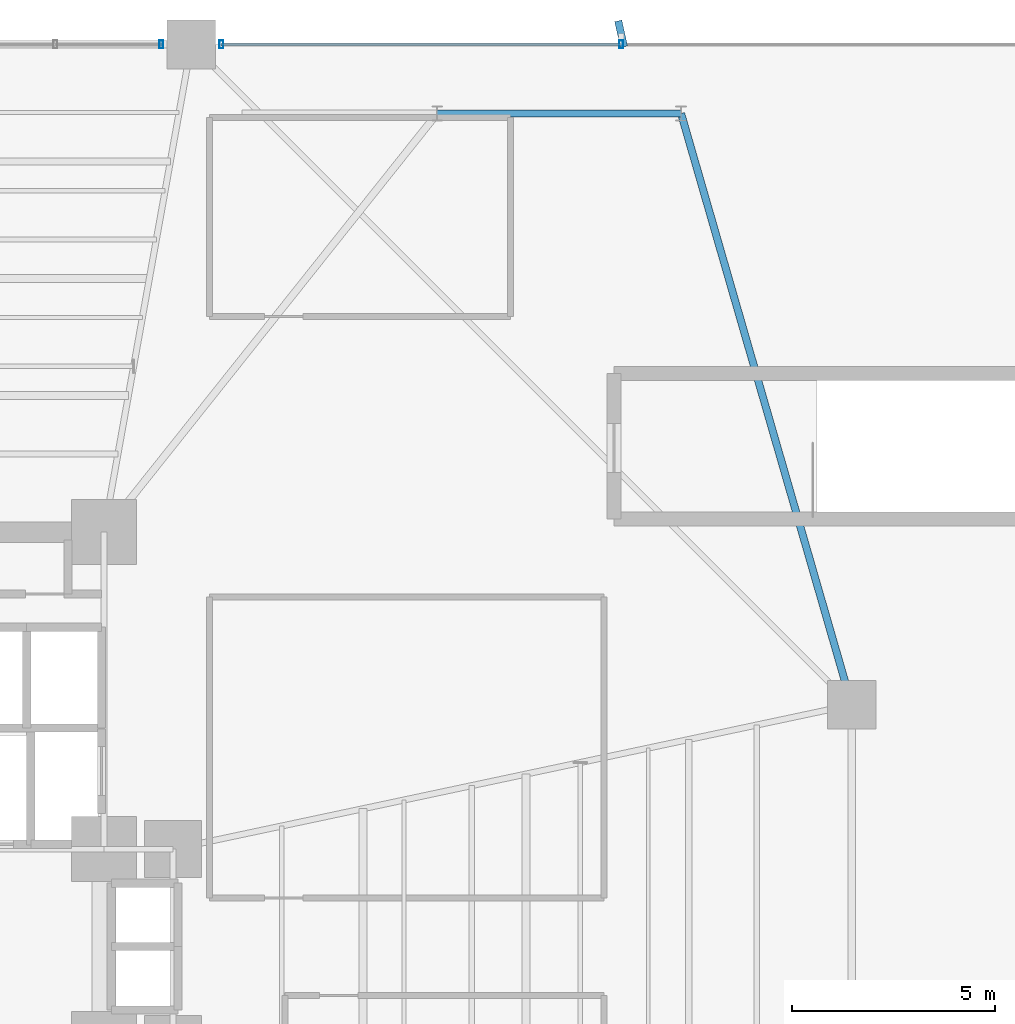
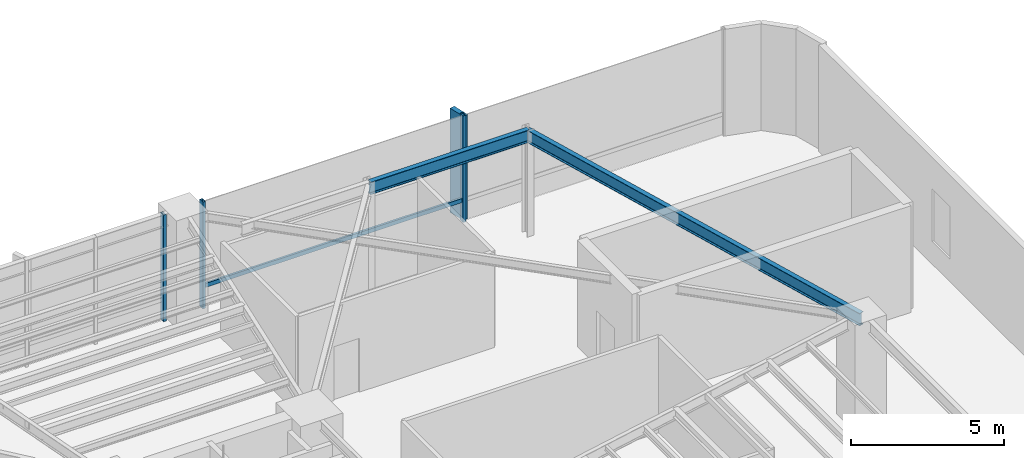
# One storey, part 17 of 26: 5 members, 2 beams, 2 elements without a shape of their own.
"""IFC4 building model written with IfcOpenShell, lengths in metres."""

from ifc_helpers import new_model, si_unit, direction, frame, origin, origin_2d, place, context, subcontext, project, spatial, rectangle, hollow_rectangle, i_section, extrude, source, transform, mapped, material, material_profile, profile_set, type_object, element, aggregate, save


model = new_model("IFC4")

# Units and contexts
model_context = context("Model", 3, precision=1e-05, world=origin(), true_north=direction((0.0, 1.0)))
body_context = subcontext(model_context, "Body", "Model", "MODEL_VIEW")
ifc_project = project(units=[si_unit("LENGTHUNIT", "METRE"), si_unit("AREAUNIT", "SQUARE_METRE"), si_unit("VOLUMEUNIT", "CUBIC_METRE"), si_unit("PLANEANGLEUNIT", "RADIAN"), si_unit("MASSUNIT", "GRAM", prefix="KILO")], contexts=[model_context])

# Site, building, storey
site_placement = place(None, origin())
site = spatial("IfcSite", under=ifc_project, at=site_placement, CompositionType="ELEMENT")
building_placement = place(site_placement, origin())
building = spatial("IfcBuilding", under=site, at=building_placement, Name="Sahyath Konkavel Grand Hotel", CompositionType="ELEMENT")
storey_placement = place(building_placement, frame((0.0, 0.0, 18.60009765625)))
storey = spatial("IfcBuildingStorey", under=building, at=storey_placement, Name="L04", CompositionType="ELEMENT", Elevation=18.60009765625)

# Beams
ifc_material_1 = material(Name="Steel E350", Category="steel")
ifc_material_profile_1 = material_profile(ifc_material_1, i_section(OverallWidth=0.179931640625, OverallDepth=0.5, WebThickness=0.01025390625, FlangeThickness=0.01708984375, FilletRadius=0.01708984375, at=origin_2d()), Name="ISMB 500")
ifc_profile_set_1 = profile_set([ifc_material_profile_1], Name="Steel E350")
beam_type = type_object("IfcBeamType", Name="BM-ISMB500", PredefinedType="BEAM", material=ifc_profile_set_1)
shared_shape_1 = source(origin(), body_context, "Body", "SweptSolid", [
    extrude(i_section(OverallWidth=0.179931640625, OverallDepth=0.5, WebThickness=0.01025390625, FlangeThickness=0.01708984375, FilletRadius=0.01708984375, at=origin_2d()), origin(), (0.0, 0.0, 1.0), 6.0),
])
beam_1_placement = place(storey_placement, frame((12.0, 20.5, 3.949951171875), z_axis=(1.0, 0.0, 0.0), x_axis=(0.0, 1.0, 0.0)))
element("IfcBeam", 1, at=beam_1_placement, inside=storey, type_object=beam_type, Name="str:bm:L04:POD34-04", PredefinedType="BEAM", context=body_context, shape_type="MappedRepresentation", body=[
    mapped(shared_shape_1, transform((0.0, 0.0, 0.0), scale=1.0)),
])
shared_shape_2 = source(origin(), body_context, "Body", "SweptSolid", [
    extrude(i_section(OverallWidth=0.179931640625, OverallDepth=0.5, WebThickness=0.01025390625, FlangeThickness=0.01708984375, FilletRadius=0.01708984375, at=origin_2d()), origin(), (0.0, 0.0, 1.0), 15.14404296875),
])
beam_2_placement = place(storey_placement, frame((18.0, 20.5, 3.949951171875), z_axis=(0.277332657483, -0.960773957335, 0.0), x_axis=(0.960773957335, 0.277332657483, 0.0)))
element("IfcBeam", 2, at=beam_2_placement, inside=storey, type_object=beam_type, Name="str:bm:L04:POD34-12", PredefinedType="BEAM", context=body_context, shape_type="MappedRepresentation", body=[
    mapped(shared_shape_2, transform((0.0, 0.0, 0.0), scale=1.0)),
])

# Curtain wall, members
ifc_material_2 = material(Name="Anodised Bronze Aluminium & Low-E Glazing", Category="aluminium")
curtain_wall_type = type_object("IfcCurtainWallType", Name="CW-PODIUM", PredefinedType="NOTDEFINED", material=ifc_material_2)
curtain_wall_1_placement = place(storey_placement, origin())
curtain_wall_1 = element("IfcCurtainWall", 3, at=curtain_wall_1_placement, inside=storey, type_object=curtain_wall_type, Name="L04 Unitised Curtain Wall N1", PredefinedType="NOTDEFINED")
ifc_material_3 = material(Name="Anodised Bronze Aluminium", Category="aluminium")
ifc_material_profile_2 = material_profile(ifc_material_3, hollow_rectangle(XDim=0.10009765625, YDim=0.199951171875, WallThickness=0.008056640625, at=origin_2d()), Name="RHS 200x100x8")
ifc_profile_set_2 = profile_set([ifc_material_profile_2], Name="Anodised Bronze Aluminium")
member_type_1 = type_object("IfcMemberType", Name="CW-MUL-200", PredefinedType="MULLION", material=ifc_profile_set_2)
shared_shape_3 = source(origin(), body_context, "Body", "SweptSolid", [
    extrude(hollow_rectangle(XDim=0.10009765625, YDim=0.199951171875, WallThickness=0.008056640625, at=origin_2d()), origin(), (0.0, 0.0, 1.0), 4.260009765625),
])
member_1_placement = place(storey_placement, frame((16.52490234375, 22.199951171875, 0.0), z_axis=(0.0, 0.0, 1.0), x_axis=(1.0, 0.0, 0.0)))
member_1 = element("IfcMember", 4, at=member_1_placement, type_object=member_type_1, Name="L04 Curtain Wall Mullion N1-1", PredefinedType="MULLION", context=body_context, shape_type="MappedRepresentation", body=[
    mapped(shared_shape_3, transform((0.0, 0.0, 0.0), scale=1.0)),
])
member_2_placement = place(storey_placement, frame((6.68994140625, 22.199951171875, 0.0), z_axis=(0.0, 0.0, 1.0), x_axis=(1.0, 0.0, 0.0)))
member_2 = element("IfcMember", 5, at=member_2_placement, type_object=member_type_1, Name="L04 Curtain Wall Mullion N1-2", PredefinedType="MULLION", context=body_context, shape_type="MappedRepresentation", body=[
    mapped(shared_shape_3, transform((0.0, 0.0, 0.0), scale=1.0)),
])

# Curtain wall, member
curtain_wall_2_placement = place(storey_placement, origin())
curtain_wall_2 = element("IfcCurtainWall", 6, at=curtain_wall_2_placement, inside=storey, type_object=curtain_wall_type, Name="L04 Unitised Curtain Wall N2", PredefinedType="NOTDEFINED")
member_3_placement = place(storey_placement, frame((5.2099609375, 22.199951171875, 0.0), z_axis=(0.0, 0.0, 1.0), x_axis=(1.0, 0.0, 0.0)))
member_3 = element("IfcMember", 7, at=member_3_placement, type_object=member_type_1, Name="L04 Curtain Wall Mullion N2-0", PredefinedType="MULLION", context=body_context, shape_type="MappedRepresentation", body=[
    mapped(shared_shape_3, transform((0.0, 0.0, 0.0), scale=1.0)),
])
aggregate(curtain_wall_2, [member_3])

# Member
ifc_material_4 = material(Name="Warm Buff Sandstone Cladding on Concrete C50/60", Category="masonry")
ifc_material_profile_3 = material_profile(ifc_material_4, rectangle(XDim=0.179931640625, YDim=0.64990234375, at=origin_2d()), Name="FIN 180x650")
ifc_profile_set_3 = profile_set([ifc_material_profile_3], Name="Warm Buff Sandstone Cladding on Concrete C50/60")
member_type_2 = type_object("IfcMemberType", Name="FIN-SANDSTONE-650", PredefinedType="MULLION", material=ifc_profile_set_3)
shared_shape_4 = source(origin(), body_context, "Body", "SweptSolid", [
    extrude(rectangle(XDim=0.179931640625, YDim=0.64990234375, at=origin_2d()), origin(), (0.0, 0.0, 1.0), 4.16015625),
])
member_4_placement = place(storey_placement, frame((16.52490234375, 22.4599609375, 0.0498046875), z_axis=(0.0, 0.0, 1.0), x_axis=(0.975419299024, 0.220356962886, 0.0)))
member_4 = element("IfcMember", 8, at=member_4_placement, type_object=member_type_2, Name="L04 Sandstone Vertical Solar Fin FIN N1-1", PredefinedType="MULLION", context=body_context, shape_type="MappedRepresentation", body=[
    mapped(shared_shape_4, transform((0.0, 0.0, 0.0), scale=1.0)),
])

ifc_material_profile_4 = material_profile(ifc_material_3, hollow_rectangle(XDim=0.080078125, YDim=0.159912109375, WallThickness=0.006103515625, at=origin_2d()), Name="RHS 160x80x6")
ifc_profile_set_4 = profile_set([ifc_material_profile_4], Name="Anodised Bronze Aluminium")
member_type_3 = type_object("IfcMemberType", Name="CW-TRN-160", PredefinedType="USERDEFINED", material=ifc_profile_set_4)
shared_shape_5 = source(origin(), body_context, "Body", "SweptSolid", [
    extrude(hollow_rectangle(XDim=0.080078125, YDim=0.159912109375, WallThickness=0.006103515625, at=origin_2d()), origin(), (0.0, 0.0, 1.0), 9.8349609375),
])
member_5_placement = place(storey_placement, frame((16.52490234375, 22.199951171875, 0.849853515625), z_axis=(-1.0, 0.0, 0.0), x_axis=(0.0, -1.0, 0.0)))
member_5 = element("IfcMember", 9, at=member_5_placement, type_object=member_type_3, Name="L04 Curtain Wall Transom N1-1-spandrel", ObjectType="TRANSOM", PredefinedType="USERDEFINED", context=body_context, shape_type="MappedRepresentation", body=[
    mapped(shared_shape_5, transform((0.0, 0.0, 0.0), scale=1.0)),
])

aggregate(curtain_wall_1, [member_1, member_4, member_2, member_5])

save(model, "model.ifc")
